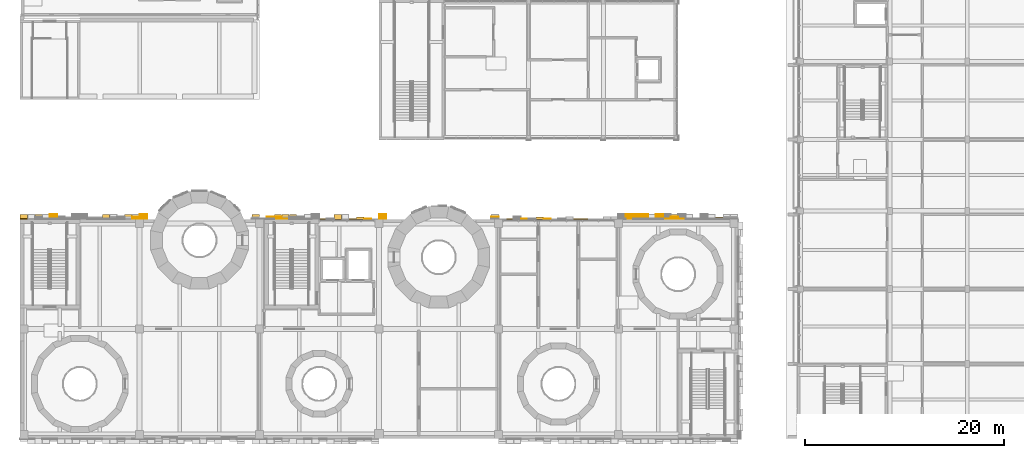
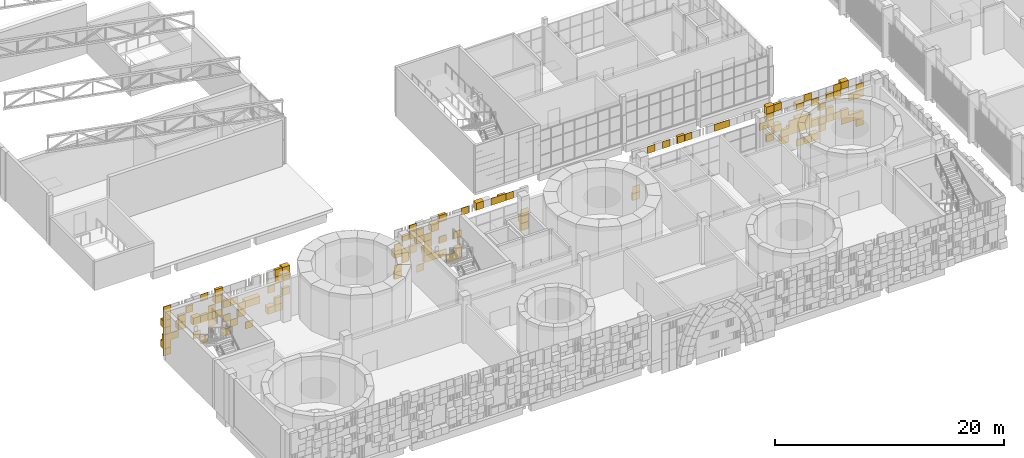
# One storey, part 98 of 125: 2 coverings.
"""IFC4 building model written with IfcOpenShell, lengths in metres."""

import ifcopenshell
import ifcopenshell.guid

model = None  # the IFC model being written
_history = None  # IfcOwnerHistory: only IFC2X3 demands one
_inside = {}  # id of a spatial element -> (the spatial element, [elements in it])
_under = {}  # id of a project, library or spatial element -> (it, [spatial elements below it])
_declared = {}  # id of a project -> (the project, [libraries it declares])
_typed = {}  # id of a type object -> (the type object, [elements of that type])
_made_of = {}  # id of a material, layer set ... -> (it, [elements and type objects made of it])


def new_model(schema):
    """Start an empty IFC model of exactly this schema.

    Asked for "IFC4X3", IfcOpenShell would pick the latest addendum, in which some entities
    have other attributes; the version numbers below select the first issue.
    IFC2X3 requires an IfcOwnerHistory on every rooted entity: one is made here for all.
    """
    global model, _history
    if schema == "IFC4X3":
        model = ifcopenshell.file(schema_version=(4, 3, 0, 0))
    else:
        model = ifcopenshell.file(schema=schema)
    _inside.clear()
    _under.clear()
    _declared.clear()
    _typed.clear()
    _made_of.clear()
    _history = None
    if model.schema == "IFC2X3":
        org = make("IfcOrganization", Name="unknown")
        user = make(
            "IfcPersonAndOrganization",
            ThePerson=make("IfcPerson", FamilyName="unknown"),
            TheOrganization=org,
        )
        app = make(
            "IfcApplication",
            ApplicationDeveloper=org,
            Version="unknown",
            ApplicationFullName="unknown",
            ApplicationIdentifier="unknown",
        )
        _history = make(
            "IfcOwnerHistory",
            OwningUser=user,
            OwningApplication=app,
            ChangeAction="ADDED",
            CreationDate=0,
        )
    return model


def make(cls, **values):
    """One entity of the class cls with the attributes given. An attribute that is None is left unset."""
    return model.create_entity(
        cls, **{name: value for name, value in values.items() if value is not None}
    )


def rooted(cls, **values):
    """An entity with a GlobalId (a new one), such as an element, a storey or a relation."""
    return make(cls, GlobalId=ifcopenshell.guid.new(), OwnerHistory=_history, **values)


def si_unit(unit_type, name, prefix=None):
    """IfcSIUnit, for example si_unit("LENGTHUNIT", "METRE", prefix="MILLI")."""
    return make("IfcSIUnit", UnitType=unit_type, Prefix=prefix, Name=name)


def assignment(units):
    """IfcUnitAssignment: the units of a project."""
    return None if units is None else make("IfcUnitAssignment", Units=units)


def point(xyz):
    """IfcCartesianPoint."""
    return None if xyz is None else make("IfcCartesianPoint", Coordinates=xyz)


def direction(xyz):
    """IfcDirection."""
    return None if xyz is None else make("IfcDirection", DirectionRatios=xyz)


def frame(location, z_axis=None, x_axis=None):
    """IfcAxis2Placement3D, a coordinate frame: its origin and axes. An axis left out is left unset."""
    return make(
        "IfcAxis2Placement3D",
        Location=point(location),
        Axis=direction(z_axis),
        RefDirection=direction(x_axis),
    )


def frame_2d(location, x_axis=None):
    """IfcAxis2Placement2D, a coordinate frame in the plane: its origin and x axis."""
    return make(
        "IfcAxis2Placement2D", Location=point(location), RefDirection=direction(x_axis)
    )


def origin():
    """The frame at (0, 0, 0) with its axes left unset."""
    return frame((0.0, 0.0, 0.0))


def origin_2d():
    """The frame at (0, 0) in the plane with its x axis left unset."""
    return frame_2d((0.0, 0.0))


def place(relative_to, where):
    """IfcLocalPlacement: puts the frame where relative to a parent placement (None: the world)."""
    return make(
        "IfcLocalPlacement", PlacementRelTo=relative_to, RelativePlacement=where
    )


def context(
    kind, dimensions, precision=None, world=None, true_north=None, identifier=None
):
    """IfcGeometricRepresentationContext, for example the 3D "Model" context."""
    return make(
        "IfcGeometricRepresentationContext",
        ContextIdentifier=identifier,
        ContextType=kind,
        CoordinateSpaceDimension=dimensions,
        Precision=precision,
        WorldCoordinateSystem=world,
        TrueNorth=true_north,
    )


def subcontext(parent, identifier, kind, view, scale=None):
    """IfcGeometricRepresentationSubContext, for example "Body" below "Model"."""
    return make(
        "IfcGeometricRepresentationSubContext",
        ContextIdentifier=identifier,
        ContextType=kind,
        ParentContext=parent,
        TargetScale=scale,
        TargetView=view,
    )


def project(units=None, contexts=None):
    """IfcProject with its units and contexts."""
    return rooted(
        "IfcProject",
        Name="project",
        RepresentationContexts=contexts,
        UnitsInContext=assignment(units),
    )


def spatial(cls, under=None, at=None, **own):
    """A site, building, storey or space (cls), placed at a placement, below another one or the project."""
    s = rooted(cls, ObjectPlacement=at, **own)
    if under is not None:
        _under.setdefault(under.id(), (under, []))[1].append(s)
    return s


def profile(cls, at=None, kind="AREA", **sizes):
    """A parametric profile (cls). Its sizes go by their IFC names, for example OverallWidth=200.0."""
    return make(cls, ProfileType=kind, Position=at, **sizes)


def rectangle(**sizes):
    """IfcRectangleProfileDef."""
    return profile("IfcRectangleProfileDef", **sizes)


def extrude(swept, where, along, depth):
    """IfcExtrudedAreaSolid: the profile swept, set in the frame where, extruded along a direction by depth."""
    return make(
        "IfcExtrudedAreaSolid",
        SweptArea=swept,
        Position=where,
        ExtrudedDirection=direction(along),
        Depth=depth,
    )


def shape(context_of_items, identifier, shape_type, items):
    """IfcShapeRepresentation: the items that make up one representation, for example the "Body"."""
    return make(
        "IfcShapeRepresentation",
        ContextOfItems=context_of_items,
        RepresentationIdentifier=identifier,
        RepresentationType=shape_type,
        Items=items,
    )


def material(Name=None, Category=None):
    """IfcMaterial."""
    return make("IfcMaterial", Name=Name, Category=Category)


def layer(
    of_material, thickness, ventilated=None, Name=None, Category=None, Priority=None
):
    """IfcMaterialLayer: one layer of a wall or slab, of a material (None: an air gap)."""
    return make(
        "IfcMaterialLayer",
        Material=of_material,
        LayerThickness=thickness,
        IsVentilated=ventilated,
        Name=Name,
        Category=Category,
        Priority=Priority,
    )


def layer_set(layers, Name=None):
    """IfcMaterialLayerSet."""
    return make("IfcMaterialLayerSet", MaterialLayers=layers, LayerSetName=Name)


def made_of(thing, what):
    """Note that an element or type object is made of a material, layer set ...; save() writes the relation."""
    if what is not None:
        _made_of.setdefault(what.id(), (what, []))[1].append(thing)
    return thing


def type_object(cls, material=None, **own):
    """A type object (cls), such as IfcWallType, which elements share."""
    return made_of(rooted(cls, **own), material)


def element(
    cls,
    number,
    at=None,
    inside=None,
    cuts=None,
    type_object=None,
    material=None,
    context=None,
    identifier="Body",
    shape_type=None,
    held_by="IfcProductDefinitionShape",
    body=None,
    shapes=None,
    **own,
):
    """One element of the class cls, such as IfcWall. Its Tag is "e" and its number.

    at: its placement. inside: the storey or other place that contains it. cuts: it is an
    opening in that element (IfcRelVoidsElement). A single representation is given by context,
    identifier, shape_type and body (its items); several are given by shapes. held_by: the class
    of the entity that holds the representations. save() writes the other relations.
    """
    e = rooted(cls, Tag="e%d" % number, ObjectPlacement=at, **own)
    if body is not None:
        shapes = [shape(context, identifier, shape_type, body)]
    if shapes is not None:
        e.Representation = make(held_by, Representations=shapes)
    if inside is not None:
        _inside.setdefault(inside.id(), (inside, []))[1].append(e)
    if cuts is not None:
        rooted(
            "IfcRelVoidsElement", RelatingBuildingElement=cuts, RelatedOpeningElement=e
        )
    if type_object is not None:
        _typed.setdefault(type_object.id(), (type_object, []))[1].append(e)
    return made_of(e, material)


def aggregate(whole, parts):
    """IfcRelAggregates: a whole, such as a stair, and the parts it consists of."""
    return rooted("IfcRelAggregates", RelatingObject=whole, RelatedObjects=parts)


def save(model, path):
    """Write the relations noted so far, then the file.

    IfcRelAggregates (storeys below a building ...), IfcRelContainedInSpatialStructure (elements
    in a storey), IfcRelDefinesByType, IfcRelAssociatesMaterial and IfcRelDeclares: one each for
    every whole, place, type object, material and project.
    """
    for whole, parts in _under.values():
        aggregate(whole, parts)
    for where, things in _inside.values():
        rooted(
            "IfcRelContainedInSpatialStructure",
            RelatedElements=things,
            RelatingStructure=where,
        )
    for kind, things in _typed.values():
        rooted("IfcRelDefinesByType", RelatedObjects=things, RelatingType=kind)
    for what, things in _made_of.values():
        rooted("IfcRelAssociatesMaterial", RelatedObjects=things, RelatingMaterial=what)
    for by, libraries in _declared.values():
        rooted("IfcRelDeclares", RelatingContext=by, RelatedDefinitions=libraries)
    model.write(path)


model = new_model("IFC4")

# Units and contexts
model_context = context("Model", 3, precision=1e-05, world=origin(), true_north=direction((0.0, 1.0)))
body_context = subcontext(model_context, "Body", "Model", "MODEL_VIEW")
ifc_project = project(units=[si_unit("LENGTHUNIT", "METRE"), si_unit("AREAUNIT", "SQUARE_METRE"), si_unit("VOLUMEUNIT", "CUBIC_METRE"), si_unit("PLANEANGLEUNIT", "RADIAN"), si_unit("MASSUNIT", "GRAM", prefix="KILO")], contexts=[model_context])

# Site, building, storey
site_placement = place(None, origin())
site = spatial("IfcSite", under=ifc_project, at=site_placement, CompositionType="ELEMENT")
building_placement = place(site_placement, origin())
building = spatial("IfcBuilding", under=site, at=building_placement, Name="Sun Court Science Centre", CompositionType="ELEMENT")
storey_placement = place(building_placement, frame((0.0, 0.0, 6.0)))
storey = spatial("IfcBuildingStorey", under=building, at=storey_placement, Name="L01", CompositionType="ELEMENT", Elevation=6.0)

# Coverings
ifc_material_1 = material(Name="Terracotta shade 1", Category="masonry")
ifc_layer_1 = layer(ifc_material_1, 0.06005859375)
ifc_layer_set_1 = layer_set([ifc_layer_1], Name="Terracotta shade 1")
covering_type_1 = type_object("IfcCoveringType", Name="Terracotta pixel panel shade 1", PredefinedType="CLADDING", material=ifc_layer_set_1)
covering_1_placement = place(storey_placement, frame((0.0, 0.0, -6.0)))
element("IfcCovering", 1, at=covering_1_placement, inside=storey, type_object=covering_type_1, Name="Terracotta pixel cladding shade 1 north face L01", PredefinedType="CLADDING", context=body_context, shape_type="SweptSolid", body=[
    extrude(rectangle(XDim=0.739990234375, YDim=0.06005859375, at=origin_2d()), frame((4.125, 28.030029296875, 6.0048828125), z_axis=(0.0, 0.0, 1.0), x_axis=(1.0, 0.0, 0.0)), (0.0, 0.0, 1.0), 0.739990234375),
    extrude(rectangle(XDim=0.739990234375, YDim=0.260009765625, at=origin_2d()), frame((6.375, 28.1298828125, 6.0048828125), z_axis=(0.0, 0.0, 1.0), x_axis=(1.0, 0.0, 0.0)), (0.0, 0.0, 1.0), 0.739990234375),
    extrude(rectangle(XDim=0.739990234375, YDim=0.06005859375, at=origin_2d()), frame((8.625, 28.030029296875, 6.0048828125), z_axis=(0.0, 0.0, 1.0), x_axis=(1.0, 0.0, 0.0)), (0.0, 0.0, 1.0), 0.739990234375),
    extrude(rectangle(XDim=0.739990234375, YDim=0.260009765625, at=origin_2d()), frame((23.625, 28.1298828125, 6.0048828125), z_axis=(0.0, 0.0, 1.0), x_axis=(1.0, 0.0, 0.0)), (0.0, 0.0, 1.0), 0.739990234375),
    extrude(rectangle(XDim=0.739990234375, YDim=0.06005859375, at=origin_2d()), frame((28.875, 28.030029296875, 6.0048828125), z_axis=(0.0, 0.0, 1.0), x_axis=(1.0, 0.0, 0.0)), (0.0, 0.0, 1.0), 0.739990234375),
    extrude(rectangle(XDim=0.739990234375, YDim=0.06005859375, at=origin_2d()), frame((29.625, 28.030029296875, 6.0048828125), z_axis=(0.0, 0.0, 1.0), x_axis=(1.0, 0.0, 0.0)), (0.0, 0.0, 1.0), 0.739990234375),
    extrude(rectangle(XDim=0.739990234375, YDim=0.06005859375, at=origin_2d()), frame((64.125, 28.030029296875, 6.0048828125), z_axis=(0.0, 0.0, 1.0), x_axis=(1.0, 0.0, 0.0)), (0.0, 0.0, 1.0), 0.739990234375),
    extrude(rectangle(XDim=0.739990234375, YDim=0.510009765625, at=origin_2d()), frame((65.625, 28.2548828125, 6.0048828125), z_axis=(0.0, 0.0, 1.0), x_axis=(1.0, 0.0, 0.0)), (0.0, 0.0, 1.0), 0.739990234375),
    extrude(rectangle(XDim=0.739990234375, YDim=0.06005859375, at=origin_2d()), frame((70.125, 28.030029296875, 6.0048828125), z_axis=(0.0, 0.0, 1.0), x_axis=(1.0, 0.0, 0.0)), (0.0, 0.0, 1.0), 0.739990234375),
    extrude(rectangle(XDim=0.739990234375, YDim=0.510009765625, at=origin_2d()), frame((0.375, 28.2548828125, 6.7548828125), z_axis=(0.0, 0.0, 1.0), x_axis=(1.0, 0.0, 0.0)), (0.0, 0.0, 1.0), 0.739990234375),
    extrude(rectangle(XDim=0.739990234375, YDim=0.06005859375, at=origin_2d()), frame((7.125, 28.030029296875, 6.7548828125), z_axis=(0.0, 0.0, 1.0), x_axis=(1.0, 0.0, 0.0)), (0.0, 0.0, 1.0), 0.739990234375),
    extrude(rectangle(XDim=0.739990234375, YDim=0.510009765625, at=origin_2d()), frame((10.875, 28.2548828125, 6.7548828125), z_axis=(0.0, 0.0, 1.0), x_axis=(1.0, 0.0, 0.0)), (0.0, 0.0, 1.0), 0.739990234375),
    extrude(rectangle(XDim=0.739990234375, YDim=0.06005859375, at=origin_2d()), frame((23.625, 28.030029296875, 6.7548828125), z_axis=(0.0, 0.0, 1.0), x_axis=(1.0, 0.0, 0.0)), (0.0, 0.0, 1.0), 0.739990234375),
    extrude(rectangle(XDim=0.739990234375, YDim=0.260009765625, at=origin_2d()), frame((26.625, 28.1298828125, 6.7548828125), z_axis=(0.0, 0.0, 1.0), x_axis=(1.0, 0.0, 0.0)), (0.0, 0.0, 1.0), 0.739990234375),
    extrude(rectangle(XDim=0.739990234375, YDim=0.260009765625, at=origin_2d()), frame((27.375, 28.1298828125, 6.7548828125), z_axis=(0.0, 0.0, 1.0), x_axis=(1.0, 0.0, 0.0)), (0.0, 0.0, 1.0), 0.739990234375),
    extrude(rectangle(XDim=0.739990234375, YDim=0.06005859375, at=origin_2d()), frame((29.625, 28.030029296875, 6.7548828125), z_axis=(0.0, 0.0, 1.0), x_axis=(1.0, 0.0, 0.0)), (0.0, 0.0, 1.0), 0.739990234375),
    extrude(rectangle(XDim=0.739990234375, YDim=0.260009765625, at=origin_2d()), frame((36.375, 28.1298828125, 6.7548828125), z_axis=(0.0, 0.0, 1.0), x_axis=(1.0, 0.0, 0.0)), (0.0, 0.0, 1.0), 0.739990234375),
    extrude(rectangle(XDim=0.739990234375, YDim=0.06005859375, at=origin_2d()), frame((47.625, 28.030029296875, 6.7548828125), z_axis=(0.0, 0.0, 1.0), x_axis=(1.0, 0.0, 0.0)), (0.0, 0.0, 1.0), 0.739990234375),
    extrude(rectangle(XDim=0.739990234375, YDim=0.06005859375, at=origin_2d()), frame((68.625, 28.030029296875, 6.7548828125), z_axis=(0.0, 0.0, 1.0), x_axis=(1.0, 0.0, 0.0)), (0.0, 0.0, 1.0), 0.739990234375),
    extrude(rectangle(XDim=0.739990234375, YDim=0.510009765625, at=origin_2d()), frame((69.375, 28.2548828125, 6.7548828125), z_axis=(0.0, 0.0, 1.0), x_axis=(1.0, 0.0, 0.0)), (0.0, 0.0, 1.0), 0.739990234375),
    extrude(rectangle(XDim=0.739990234375, YDim=0.06005859375, at=origin_2d()), frame((1.125, 28.030029296875, 7.5048828125), z_axis=(0.0, 0.0, 1.0), x_axis=(1.0, 0.0, 0.0)), (0.0, 0.0, 1.0), 0.739990234375),
    extrude(rectangle(XDim=0.739990234375, YDim=0.06005859375, at=origin_2d()), frame((4.875, 28.030029296875, 7.5048828125), z_axis=(0.0, 0.0, 1.0), x_axis=(1.0, 0.0, 0.0)), (0.0, 0.0, 1.0), 0.739990234375),
    extrude(rectangle(XDim=0.739990234375, YDim=0.06005859375, at=origin_2d()), frame((6.375, 28.030029296875, 7.5048828125), z_axis=(0.0, 0.0, 1.0), x_axis=(1.0, 0.0, 0.0)), (0.0, 0.0, 1.0), 0.739990234375),
    extrude(rectangle(XDim=0.739990234375, YDim=0.260009765625, at=origin_2d()), frame((7.875, 28.1298828125, 7.5048828125), z_axis=(0.0, 0.0, 1.0), x_axis=(1.0, 0.0, 0.0)), (0.0, 0.0, 1.0), 0.739990234375),
    extrude(rectangle(XDim=0.739990234375, YDim=0.06005859375, at=origin_2d()), frame((24.375, 28.030029296875, 7.5048828125), z_axis=(0.0, 0.0, 1.0), x_axis=(1.0, 0.0, 0.0)), (0.0, 0.0, 1.0), 0.739990234375),
    extrude(rectangle(XDim=0.739990234375, YDim=0.510009765625, at=origin_2d()), frame((26.625, 28.2548828125, 7.5048828125), z_axis=(0.0, 0.0, 1.0), x_axis=(1.0, 0.0, 0.0)), (0.0, 0.0, 1.0), 0.739990234375),
    extrude(rectangle(XDim=0.739990234375, YDim=0.260009765625, at=origin_2d()), frame((61.125, 28.1298828125, 7.5048828125), z_axis=(0.0, 0.0, 1.0), x_axis=(1.0, 0.0, 0.0)), (0.0, 0.0, 1.0), 0.739990234375),
    extrude(rectangle(XDim=0.739990234375, YDim=0.260009765625, at=origin_2d()), frame((62.625, 28.1298828125, 7.5048828125), z_axis=(0.0, 0.0, 1.0), x_axis=(1.0, 0.0, 0.0)), (0.0, 0.0, 1.0), 0.739990234375),
    extrude(rectangle(XDim=0.739990234375, YDim=0.510009765625, at=origin_2d()), frame((63.375, 28.2548828125, 7.5048828125), z_axis=(0.0, 0.0, 1.0), x_axis=(1.0, 0.0, 0.0)), (0.0, 0.0, 1.0), 0.739990234375),
    extrude(rectangle(XDim=0.739990234375, YDim=0.260009765625, at=origin_2d()), frame((64.125, 28.1298828125, 7.5048828125), z_axis=(0.0, 0.0, 1.0), x_axis=(1.0, 0.0, 0.0)), (0.0, 0.0, 1.0), 0.739990234375),
    extrude(rectangle(XDim=0.739990234375, YDim=0.260009765625, at=origin_2d()), frame((64.875, 28.1298828125, 7.5048828125), z_axis=(0.0, 0.0, 1.0), x_axis=(1.0, 0.0, 0.0)), (0.0, 0.0, 1.0), 0.739990234375),
    extrude(rectangle(XDim=0.739990234375, YDim=0.260009765625, at=origin_2d()), frame((66.375, 28.1298828125, 7.5048828125), z_axis=(0.0, 0.0, 1.0), x_axis=(1.0, 0.0, 0.0)), (0.0, 0.0, 1.0), 0.739990234375),
    extrude(rectangle(XDim=0.739990234375, YDim=0.06005859375, at=origin_2d()), frame((67.125, 28.030029296875, 7.5048828125), z_axis=(0.0, 0.0, 1.0), x_axis=(1.0, 0.0, 0.0)), (0.0, 0.0, 1.0), 0.739990234375),
    extrude(rectangle(XDim=0.739990234375, YDim=0.260009765625, at=origin_2d()), frame((68.625, 28.1298828125, 7.5048828125), z_axis=(0.0, 0.0, 1.0), x_axis=(1.0, 0.0, 0.0)), (0.0, 0.0, 1.0), 0.739990234375),
    extrude(rectangle(XDim=0.739990234375, YDim=0.06005859375, at=origin_2d()), frame((0.375, 28.030029296875, 8.2548828125), z_axis=(0.0, 0.0, 1.0), x_axis=(1.0, 0.0, 0.0)), (0.0, 0.0, 1.0), 0.739990234375),
    extrude(rectangle(XDim=0.739990234375, YDim=0.510009765625, at=origin_2d()), frame((1.875, 28.2548828125, 8.2548828125), z_axis=(0.0, 0.0, 1.0), x_axis=(1.0, 0.0, 0.0)), (0.0, 0.0, 1.0), 0.739990234375),
    extrude(rectangle(XDim=0.739990234375, YDim=0.260009765625, at=origin_2d()), frame((4.125, 28.1298828125, 8.2548828125), z_axis=(0.0, 0.0, 1.0), x_axis=(1.0, 0.0, 0.0)), (0.0, 0.0, 1.0), 0.739990234375),
    extrude(rectangle(XDim=0.739990234375, YDim=0.06005859375, at=origin_2d()), frame((5.625, 28.030029296875, 8.2548828125), z_axis=(0.0, 0.0, 1.0), x_axis=(1.0, 0.0, 0.0)), (0.0, 0.0, 1.0), 0.739990234375),
    extrude(rectangle(XDim=0.739990234375, YDim=0.510009765625, at=origin_2d()), frame((8.625, 28.2548828125, 8.2548828125), z_axis=(0.0, 0.0, 1.0), x_axis=(1.0, 0.0, 0.0)), (0.0, 0.0, 1.0), 0.739990234375),
    extrude(rectangle(XDim=0.739990234375, YDim=0.510009765625, at=origin_2d()), frame((9.375, 28.2548828125, 8.2548828125), z_axis=(0.0, 0.0, 1.0), x_axis=(1.0, 0.0, 0.0)), (0.0, 0.0, 1.0), 0.739990234375),
    extrude(rectangle(XDim=0.739990234375, YDim=0.260009765625, at=origin_2d()), frame((12.375, 28.1298828125, 8.2548828125), z_axis=(0.0, 0.0, 1.0), x_axis=(1.0, 0.0, 0.0)), (0.0, 0.0, 1.0), 0.739990234375),
    extrude(rectangle(XDim=0.739990234375, YDim=0.510009765625, at=origin_2d()), frame((23.625, 28.2548828125, 8.2548828125), z_axis=(0.0, 0.0, 1.0), x_axis=(1.0, 0.0, 0.0)), (0.0, 0.0, 1.0), 0.739990234375),
    extrude(rectangle(XDim=0.739990234375, YDim=0.06005859375, at=origin_2d()), frame((24.375, 28.030029296875, 8.2548828125), z_axis=(0.0, 0.0, 1.0), x_axis=(1.0, 0.0, 0.0)), (0.0, 0.0, 1.0), 0.739990234375),
    extrude(rectangle(XDim=0.739990234375, YDim=0.06005859375, at=origin_2d()), frame((26.625, 28.030029296875, 8.2548828125), z_axis=(0.0, 0.0, 1.0), x_axis=(1.0, 0.0, 0.0)), (0.0, 0.0, 1.0), 0.739990234375),
    extrude(rectangle(XDim=0.739990234375, YDim=0.06005859375, at=origin_2d()), frame((28.125, 28.030029296875, 8.2548828125), z_axis=(0.0, 0.0, 1.0), x_axis=(1.0, 0.0, 0.0)), (0.0, 0.0, 1.0), 0.739990234375),
    extrude(rectangle(XDim=0.739990234375, YDim=0.06005859375, at=origin_2d()), frame((29.625, 28.030029296875, 8.2548828125), z_axis=(0.0, 0.0, 1.0), x_axis=(1.0, 0.0, 0.0)), (0.0, 0.0, 1.0), 0.739990234375),
    extrude(rectangle(XDim=0.739990234375, YDim=0.06005859375, at=origin_2d()), frame((36.375, 28.030029296875, 8.2548828125), z_axis=(0.0, 0.0, 1.0), x_axis=(1.0, 0.0, 0.0)), (0.0, 0.0, 1.0), 0.739990234375),
    extrude(rectangle(XDim=0.739990234375, YDim=0.06005859375, at=origin_2d()), frame((63.375, 28.030029296875, 8.2548828125), z_axis=(0.0, 0.0, 1.0), x_axis=(1.0, 0.0, 0.0)), (0.0, 0.0, 1.0), 0.739990234375),
    extrude(rectangle(XDim=0.739990234375, YDim=0.510009765625, at=origin_2d()), frame((64.125, 28.2548828125, 8.2548828125), z_axis=(0.0, 0.0, 1.0), x_axis=(1.0, 0.0, 0.0)), (0.0, 0.0, 1.0), 0.739990234375),
    extrude(rectangle(XDim=0.739990234375, YDim=0.260009765625, at=origin_2d()), frame((64.875, 28.1298828125, 8.2548828125), z_axis=(0.0, 0.0, 1.0), x_axis=(1.0, 0.0, 0.0)), (0.0, 0.0, 1.0), 0.739990234375),
    extrude(rectangle(XDim=0.739990234375, YDim=0.260009765625, at=origin_2d()), frame((67.125, 28.1298828125, 8.2548828125), z_axis=(0.0, 0.0, 1.0), x_axis=(1.0, 0.0, 0.0)), (0.0, 0.0, 1.0), 0.739990234375),
    extrude(rectangle(XDim=0.739990234375, YDim=0.260009765625, at=origin_2d()), frame((1.875, 28.1298828125, 9.0048828125), z_axis=(0.0, 0.0, 1.0), x_axis=(1.0, 0.0, 0.0)), (0.0, 0.0, 1.0), 0.739990234375),
    extrude(rectangle(XDim=0.739990234375, YDim=0.06005859375, at=origin_2d()), frame((4.875, 28.030029296875, 9.0048828125), z_axis=(0.0, 0.0, 1.0), x_axis=(1.0, 0.0, 0.0)), (0.0, 0.0, 1.0), 0.739990234375),
    extrude(rectangle(XDim=0.739990234375, YDim=0.260009765625, at=origin_2d()), frame((6.375, 28.1298828125, 9.0048828125), z_axis=(0.0, 0.0, 1.0), x_axis=(1.0, 0.0, 0.0)), (0.0, 0.0, 1.0), 0.739990234375),
    extrude(rectangle(XDim=0.739990234375, YDim=0.06005859375, at=origin_2d()), frame((10.875, 28.030029296875, 9.0048828125), z_axis=(0.0, 0.0, 1.0), x_axis=(1.0, 0.0, 0.0)), (0.0, 0.0, 1.0), 0.739990234375),
    extrude(rectangle(XDim=0.739990234375, YDim=0.06005859375, at=origin_2d()), frame((23.625, 28.030029296875, 9.0048828125), z_axis=(0.0, 0.0, 1.0), x_axis=(1.0, 0.0, 0.0)), (0.0, 0.0, 1.0), 0.739990234375),
    extrude(rectangle(XDim=0.739990234375, YDim=0.510009765625, at=origin_2d()), frame((25.875, 28.2548828125, 9.0048828125), z_axis=(0.0, 0.0, 1.0), x_axis=(1.0, 0.0, 0.0)), (0.0, 0.0, 1.0), 0.739990234375),
    extrude(rectangle(XDim=0.739990234375, YDim=0.06005859375, at=origin_2d()), frame((60.375, 28.030029296875, 9.0048828125), z_axis=(0.0, 0.0, 1.0), x_axis=(1.0, 0.0, 0.0)), (0.0, 0.0, 1.0), 0.739990234375),
    extrude(rectangle(XDim=0.739990234375, YDim=0.260009765625, at=origin_2d()), frame((61.125, 28.1298828125, 9.0048828125), z_axis=(0.0, 0.0, 1.0), x_axis=(1.0, 0.0, 0.0)), (0.0, 0.0, 1.0), 0.739990234375),
    extrude(rectangle(XDim=0.739990234375, YDim=0.260009765625, at=origin_2d()), frame((66.375, 28.1298828125, 9.0048828125), z_axis=(0.0, 0.0, 1.0), x_axis=(1.0, 0.0, 0.0)), (0.0, 0.0, 1.0), 0.739990234375),
    extrude(rectangle(XDim=0.739990234375, YDim=0.06005859375, at=origin_2d()), frame((69.375, 28.030029296875, 9.0048828125), z_axis=(0.0, 0.0, 1.0), x_axis=(1.0, 0.0, 0.0)), (0.0, 0.0, 1.0), 0.739990234375),
    extrude(rectangle(XDim=0.739990234375, YDim=0.06005859375, at=origin_2d()), frame((2.625, 28.030029296875, 9.7548828125), z_axis=(0.0, 0.0, 1.0), x_axis=(1.0, 0.0, 0.0)), (0.0, 0.0, 1.0), 0.739990234375),
    extrude(rectangle(XDim=0.739990234375, YDim=0.510009765625, at=origin_2d()), frame((5.625, 28.2548828125, 9.7548828125), z_axis=(0.0, 0.0, 1.0), x_axis=(1.0, 0.0, 0.0)), (0.0, 0.0, 1.0), 0.739990234375),
    extrude(rectangle(XDim=0.739990234375, YDim=0.06005859375, at=origin_2d()), frame((11.625, 28.030029296875, 9.7548828125), z_axis=(0.0, 0.0, 1.0), x_axis=(1.0, 0.0, 0.0)), (0.0, 0.0, 1.0), 0.739990234375),
    extrude(rectangle(XDim=0.739990234375, YDim=0.06005859375, at=origin_2d()), frame((12.375, 28.030029296875, 9.7548828125), z_axis=(0.0, 0.0, 1.0), x_axis=(1.0, 0.0, 0.0)), (0.0, 0.0, 1.0), 0.739990234375),
    extrude(rectangle(XDim=0.739990234375, YDim=0.06005859375, at=origin_2d()), frame((24.375, 28.030029296875, 9.7548828125), z_axis=(0.0, 0.0, 1.0), x_axis=(1.0, 0.0, 0.0)), (0.0, 0.0, 1.0), 0.739990234375),
    extrude(rectangle(XDim=0.739990234375, YDim=0.06005859375, at=origin_2d()), frame((25.125, 28.030029296875, 9.7548828125), z_axis=(0.0, 0.0, 1.0), x_axis=(1.0, 0.0, 0.0)), (0.0, 0.0, 1.0), 0.739990234375),
    extrude(rectangle(XDim=0.739990234375, YDim=0.510009765625, at=origin_2d()), frame((27.375, 28.2548828125, 9.7548828125), z_axis=(0.0, 0.0, 1.0), x_axis=(1.0, 0.0, 0.0)), (0.0, 0.0, 1.0), 0.739990234375),
    extrude(rectangle(XDim=0.739990234375, YDim=0.260009765625, at=origin_2d()), frame((67.125, 28.1298828125, 9.7548828125), z_axis=(0.0, 0.0, 1.0), x_axis=(1.0, 0.0, 0.0)), (0.0, 0.0, 1.0), 0.739990234375),
    extrude(rectangle(XDim=0.739990234375, YDim=0.06005859375, at=origin_2d()), frame((70.125, 28.030029296875, 9.7548828125), z_axis=(0.0, 0.0, 1.0), x_axis=(1.0, 0.0, 0.0)), (0.0, 0.0, 1.0), 0.739990234375),
    extrude(rectangle(XDim=0.739990234375, YDim=0.06005859375, at=origin_2d()), frame((0.375, 28.030029296875, 10.5048828125), z_axis=(0.0, 0.0, 1.0), x_axis=(1.0, 0.0, 0.0)), (0.0, 0.0, 1.0), 0.739990234375),
    extrude(rectangle(XDim=0.739990234375, YDim=0.260009765625, at=origin_2d()), frame((5.625, 28.1298828125, 10.5048828125), z_axis=(0.0, 0.0, 1.0), x_axis=(1.0, 0.0, 0.0)), (0.0, 0.0, 1.0), 0.739990234375),
    extrude(rectangle(XDim=0.739990234375, YDim=0.260009765625, at=origin_2d()), frame((11.625, 28.1298828125, 10.5048828125), z_axis=(0.0, 0.0, 1.0), x_axis=(1.0, 0.0, 0.0)), (0.0, 0.0, 1.0), 0.739990234375),
    extrude(rectangle(XDim=0.739990234375, YDim=0.260009765625, at=origin_2d()), frame((28.125, 28.1298828125, 10.5048828125), z_axis=(0.0, 0.0, 1.0), x_axis=(1.0, 0.0, 0.0)), (0.0, 0.0, 1.0), 0.739990234375),
    extrude(rectangle(XDim=0.739990234375, YDim=0.06005859375, at=origin_2d()), frame((30.375, 28.030029296875, 10.5048828125), z_axis=(0.0, 0.0, 1.0), x_axis=(1.0, 0.0, 0.0)), (0.0, 0.0, 1.0), 0.739990234375),
    extrude(rectangle(XDim=0.739990234375, YDim=0.510009765625, at=origin_2d()), frame((31.875, 28.2548828125, 10.5048828125), z_axis=(0.0, 0.0, 1.0), x_axis=(1.0, 0.0, 0.0)), (0.0, 0.0, 1.0), 0.739990234375),
    extrude(rectangle(XDim=0.739990234375, YDim=0.06005859375, at=origin_2d()), frame((33.375, 28.030029296875, 10.5048828125), z_axis=(0.0, 0.0, 1.0), x_axis=(1.0, 0.0, 0.0)), (0.0, 0.0, 1.0), 0.739990234375),
    extrude(rectangle(XDim=0.739990234375, YDim=0.260009765625, at=origin_2d()), frame((34.125, 28.1298828125, 10.5048828125), z_axis=(0.0, 0.0, 1.0), x_axis=(1.0, 0.0, 0.0)), (0.0, 0.0, 1.0), 0.739990234375),
    extrude(rectangle(XDim=0.739990234375, YDim=0.06005859375, at=origin_2d()), frame((49.125, 28.030029296875, 10.5048828125), z_axis=(0.0, 0.0, 1.0), x_axis=(1.0, 0.0, 0.0)), (0.0, 0.0, 1.0), 0.739990234375),
    extrude(rectangle(XDim=0.739990234375, YDim=0.260009765625, at=origin_2d()), frame((52.125, 28.1298828125, 10.5048828125), z_axis=(0.0, 0.0, 1.0), x_axis=(1.0, 0.0, 0.0)), (0.0, 0.0, 1.0), 0.739990234375),
    extrude(rectangle(XDim=0.739990234375, YDim=0.06005859375, at=origin_2d()), frame((55.875, 28.030029296875, 10.5048828125), z_axis=(0.0, 0.0, 1.0), x_axis=(1.0, 0.0, 0.0)), (0.0, 0.0, 1.0), 0.739990234375),
    extrude(rectangle(XDim=0.739990234375, YDim=0.06005859375, at=origin_2d()), frame((56.625, 28.030029296875, 10.5048828125), z_axis=(0.0, 0.0, 1.0), x_axis=(1.0, 0.0, 0.0)), (0.0, 0.0, 1.0), 0.739990234375),
    extrude(rectangle(XDim=0.739990234375, YDim=0.510009765625, at=origin_2d()), frame((61.125, 28.2548828125, 10.5048828125), z_axis=(0.0, 0.0, 1.0), x_axis=(1.0, 0.0, 0.0)), (0.0, 0.0, 1.0), 0.739990234375),
    extrude(rectangle(XDim=0.739990234375, YDim=0.06005859375, at=origin_2d()), frame((64.875, 28.030029296875, 10.5048828125), z_axis=(0.0, 0.0, 1.0), x_axis=(1.0, 0.0, 0.0)), (0.0, 0.0, 1.0), 0.739990234375),
    extrude(rectangle(XDim=0.739990234375, YDim=0.510009765625, at=origin_2d()), frame((68.625, 28.2548828125, 10.5048828125), z_axis=(0.0, 0.0, 1.0), x_axis=(1.0, 0.0, 0.0)), (0.0, 0.0, 1.0), 0.739990234375),
    extrude(rectangle(XDim=0.739990234375, YDim=0.510009765625, at=origin_2d()), frame((0.375, 28.2548828125, 9.0048828125), z_axis=(0.0, 0.0, 1.0), x_axis=(1.0, 0.0, 0.0)), (0.0, 0.0, 1.0), 0.739990234375),
    extrude(rectangle(XDim=0.739990234375, YDim=0.06005859375, at=origin_2d()), frame((0.375, 28.030029296875, 9.7548828125), z_axis=(0.0, 0.0, 1.0), x_axis=(1.0, 0.0, 0.0)), (0.0, 0.0, 1.0), 0.739990234375),
    extrude(rectangle(XDim=0.739990234375, YDim=0.260009765625, at=origin_2d()), frame((0.375, 28.1298828125, 7.5048828125), z_axis=(0.0, 0.0, 1.0), x_axis=(1.0, 0.0, 0.0)), (0.0, 0.0, 1.0), 0.739990234375),
    extrude(rectangle(XDim=0.739990234375, YDim=0.06005859375, at=origin_2d()), frame((0.375, 28.030029296875, 6.0048828125), z_axis=(0.0, 0.0, 1.0), x_axis=(1.0, 0.0, 0.0)), (0.0, 0.0, 1.0), 0.739990234375),
    extrude(rectangle(XDim=0.739990234375, YDim=0.260009765625, at=origin_2d()), frame((70.125, 28.1298828125, 6.7548828125), z_axis=(0.0, 0.0, 1.0), x_axis=(1.0, 0.0, 0.0)), (0.0, 0.0, 1.0), 0.739990234375),
    extrude(rectangle(XDim=0.739990234375, YDim=0.06005859375, at=origin_2d()), frame((70.125, 28.030029296875, 9.0048828125), z_axis=(0.0, 0.0, 1.0), x_axis=(1.0, 0.0, 0.0)), (0.0, 0.0, 1.0), 0.739990234375),
])
ifc_material_2 = material(Name="Terracotta shade 4", Category="masonry")
ifc_layer_2 = layer(ifc_material_2, 0.06005859375)
ifc_layer_set_2 = layer_set([ifc_layer_2], Name="Terracotta shade 4")
covering_type_2 = type_object("IfcCoveringType", Name="Terracotta pixel panel shade 4", PredefinedType="CLADDING", material=ifc_layer_set_2)
covering_2_placement = place(storey_placement, frame((0.0, 0.0, -6.0)))
element("IfcCovering", 2, at=covering_2_placement, inside=storey, type_object=covering_type_2, Name="Terracotta pixel cladding shade 4 north face L01", PredefinedType="CLADDING", context=body_context, shape_type="SweptSolid", body=[
    extrude(rectangle(XDim=0.739990234375, YDim=0.06005859375, at=origin_2d()), frame((25.875, 28.030029296875, 6.0048828125), z_axis=(0.0, 0.0, 1.0), x_axis=(1.0, 0.0, 0.0)), (0.0, 0.0, 1.0), 0.739990234375),
    extrude(rectangle(XDim=0.739990234375, YDim=0.260009765625, at=origin_2d()), frame((47.625, 28.1298828125, 6.0048828125), z_axis=(0.0, 0.0, 1.0), x_axis=(1.0, 0.0, 0.0)), (0.0, 0.0, 1.0), 0.739990234375),
    extrude(rectangle(XDim=0.739990234375, YDim=0.06005859375, at=origin_2d()), frame((64.875, 28.030029296875, 6.0048828125), z_axis=(0.0, 0.0, 1.0), x_axis=(1.0, 0.0, 0.0)), (0.0, 0.0, 1.0), 0.739990234375),
    extrude(rectangle(XDim=0.739990234375, YDim=0.06005859375, at=origin_2d()), frame((3.375, 28.030029296875, 6.7548828125), z_axis=(0.0, 0.0, 1.0), x_axis=(1.0, 0.0, 0.0)), (0.0, 0.0, 1.0), 0.739990234375),
    extrude(rectangle(XDim=0.739990234375, YDim=0.06005859375, at=origin_2d()), frame((11.625, 28.030029296875, 6.7548828125), z_axis=(0.0, 0.0, 1.0), x_axis=(1.0, 0.0, 0.0)), (0.0, 0.0, 1.0), 0.739990234375),
    extrude(rectangle(XDim=0.739990234375, YDim=0.06005859375, at=origin_2d()), frame((28.125, 28.030029296875, 6.7548828125), z_axis=(0.0, 0.0, 1.0), x_axis=(1.0, 0.0, 0.0)), (0.0, 0.0, 1.0), 0.739990234375),
    extrude(rectangle(XDim=0.739990234375, YDim=0.510009765625, at=origin_2d()), frame((62.625, 28.2548828125, 6.7548828125), z_axis=(0.0, 0.0, 1.0), x_axis=(1.0, 0.0, 0.0)), (0.0, 0.0, 1.0), 0.739990234375),
    extrude(rectangle(XDim=0.739990234375, YDim=0.06005859375, at=origin_2d()), frame((66.375, 28.030029296875, 6.7548828125), z_axis=(0.0, 0.0, 1.0), x_axis=(1.0, 0.0, 0.0)), (0.0, 0.0, 1.0), 0.739990234375),
    extrude(rectangle(XDim=0.739990234375, YDim=0.260009765625, at=origin_2d()), frame((11.625, 28.1298828125, 7.5048828125), z_axis=(0.0, 0.0, 1.0), x_axis=(1.0, 0.0, 0.0)), (0.0, 0.0, 1.0), 0.739990234375),
    extrude(rectangle(XDim=0.739990234375, YDim=0.510009765625, at=origin_2d()), frame((36.375, 28.2548828125, 7.5048828125), z_axis=(0.0, 0.0, 1.0), x_axis=(1.0, 0.0, 0.0)), (0.0, 0.0, 1.0), 0.739990234375),
    extrude(rectangle(XDim=0.739990234375, YDim=0.260009765625, at=origin_2d()), frame((65.625, 28.1298828125, 7.5048828125), z_axis=(0.0, 0.0, 1.0), x_axis=(1.0, 0.0, 0.0)), (0.0, 0.0, 1.0), 0.739990234375),
    extrude(rectangle(XDim=0.739990234375, YDim=0.06005859375, at=origin_2d()), frame((67.875, 28.030029296875, 7.5048828125), z_axis=(0.0, 0.0, 1.0), x_axis=(1.0, 0.0, 0.0)), (0.0, 0.0, 1.0), 0.739990234375),
    extrude(rectangle(XDim=0.739990234375, YDim=0.06005859375, at=origin_2d()), frame((4.875, 28.030029296875, 8.2548828125), z_axis=(0.0, 0.0, 1.0), x_axis=(1.0, 0.0, 0.0)), (0.0, 0.0, 1.0), 0.739990234375),
    extrude(rectangle(XDim=0.739990234375, YDim=0.06005859375, at=origin_2d()), frame((7.875, 28.030029296875, 8.2548828125), z_axis=(0.0, 0.0, 1.0), x_axis=(1.0, 0.0, 0.0)), (0.0, 0.0, 1.0), 0.739990234375),
    extrude(rectangle(XDim=0.739990234375, YDim=0.260009765625, at=origin_2d()), frame((25.125, 28.1298828125, 8.2548828125), z_axis=(0.0, 0.0, 1.0), x_axis=(1.0, 0.0, 0.0)), (0.0, 0.0, 1.0), 0.739990234375),
    extrude(rectangle(XDim=0.739990234375, YDim=0.510009765625, at=origin_2d()), frame((61.875, 28.2548828125, 8.2548828125), z_axis=(0.0, 0.0, 1.0), x_axis=(1.0, 0.0, 0.0)), (0.0, 0.0, 1.0), 0.739990234375),
    extrude(rectangle(XDim=0.739990234375, YDim=0.06005859375, at=origin_2d()), frame((7.125, 28.030029296875, 9.0048828125), z_axis=(0.0, 0.0, 1.0), x_axis=(1.0, 0.0, 0.0)), (0.0, 0.0, 1.0), 0.739990234375),
    extrude(rectangle(XDim=0.739990234375, YDim=0.06005859375, at=origin_2d()), frame((26.625, 28.030029296875, 9.0048828125), z_axis=(0.0, 0.0, 1.0), x_axis=(1.0, 0.0, 0.0)), (0.0, 0.0, 1.0), 0.739990234375),
    extrude(rectangle(XDim=0.739990234375, YDim=0.260009765625, at=origin_2d()), frame((25.875, 28.1298828125, 9.7548828125), z_axis=(0.0, 0.0, 1.0), x_axis=(1.0, 0.0, 0.0)), (0.0, 0.0, 1.0), 0.739990234375),
    extrude(rectangle(XDim=0.739990234375, YDim=0.510009765625, at=origin_2d()), frame((61.125, 28.2548828125, 9.7548828125), z_axis=(0.0, 0.0, 1.0), x_axis=(1.0, 0.0, 0.0)), (0.0, 0.0, 1.0), 0.739990234375),
    extrude(rectangle(XDim=0.739990234375, YDim=0.510009765625, at=origin_2d()), frame((64.125, 28.2548828125, 9.7548828125), z_axis=(0.0, 0.0, 1.0), x_axis=(1.0, 0.0, 0.0)), (0.0, 0.0, 1.0), 0.739990234375),
    extrude(rectangle(XDim=0.739990234375, YDim=0.06005859375, at=origin_2d()), frame((65.625, 28.030029296875, 9.7548828125), z_axis=(0.0, 0.0, 1.0), x_axis=(1.0, 0.0, 0.0)), (0.0, 0.0, 1.0), 0.739990234375),
    extrude(rectangle(XDim=0.739990234375, YDim=0.06005859375, at=origin_2d()), frame((67.875, 28.030029296875, 9.7548828125), z_axis=(0.0, 0.0, 1.0), x_axis=(1.0, 0.0, 0.0)), (0.0, 0.0, 1.0), 0.739990234375),
    extrude(rectangle(XDim=0.739990234375, YDim=0.06005859375, at=origin_2d()), frame((4.125, 28.030029296875, 10.5048828125), z_axis=(0.0, 0.0, 1.0), x_axis=(1.0, 0.0, 0.0)), (0.0, 0.0, 1.0), 0.739990234375),
    extrude(rectangle(XDim=0.739990234375, YDim=0.510009765625, at=origin_2d()), frame((12.375, 28.2548828125, 10.5048828125), z_axis=(0.0, 0.0, 1.0), x_axis=(1.0, 0.0, 0.0)), (0.0, 0.0, 1.0), 0.739990234375),
    extrude(rectangle(XDim=0.739990234375, YDim=0.06005859375, at=origin_2d()), frame((25.125, 28.030029296875, 10.5048828125), z_axis=(0.0, 0.0, 1.0), x_axis=(1.0, 0.0, 0.0)), (0.0, 0.0, 1.0), 0.739990234375),
    extrude(rectangle(XDim=0.739990234375, YDim=0.06005859375, at=origin_2d()), frame((34.875, 28.030029296875, 10.5048828125), z_axis=(0.0, 0.0, 1.0), x_axis=(1.0, 0.0, 0.0)), (0.0, 0.0, 1.0), 0.739990234375),
    extrude(rectangle(XDim=0.739990234375, YDim=0.06005859375, at=origin_2d()), frame((50.625, 28.030029296875, 10.5048828125), z_axis=(0.0, 0.0, 1.0), x_axis=(1.0, 0.0, 0.0)), (0.0, 0.0, 1.0), 0.739990234375),
    extrude(rectangle(XDim=0.739990234375, YDim=0.06005859375, at=origin_2d()), frame((52.875, 28.030029296875, 10.5048828125), z_axis=(0.0, 0.0, 1.0), x_axis=(1.0, 0.0, 0.0)), (0.0, 0.0, 1.0), 0.739990234375),
    extrude(rectangle(XDim=0.739990234375, YDim=0.260009765625, at=origin_2d()), frame((61.875, 28.1298828125, 10.5048828125), z_axis=(0.0, 0.0, 1.0), x_axis=(1.0, 0.0, 0.0)), (0.0, 0.0, 1.0), 0.739990234375),
    extrude(rectangle(XDim=0.739990234375, YDim=0.06005859375, at=origin_2d()), frame((67.875, 28.030029296875, 10.5048828125), z_axis=(0.0, 0.0, 1.0), x_axis=(1.0, 0.0, 0.0)), (0.0, 0.0, 1.0), 0.739990234375),
    extrude(rectangle(XDim=0.739990234375, YDim=0.510009765625, at=origin_2d()), frame((3.375, 28.2548828125, 8.2548828125), z_axis=(0.0, 0.0, 1.0), x_axis=(1.0, 0.0, 0.0)), (0.0, 0.0, 1.0), 0.739990234375),
])

save(model, "model.ifc")
